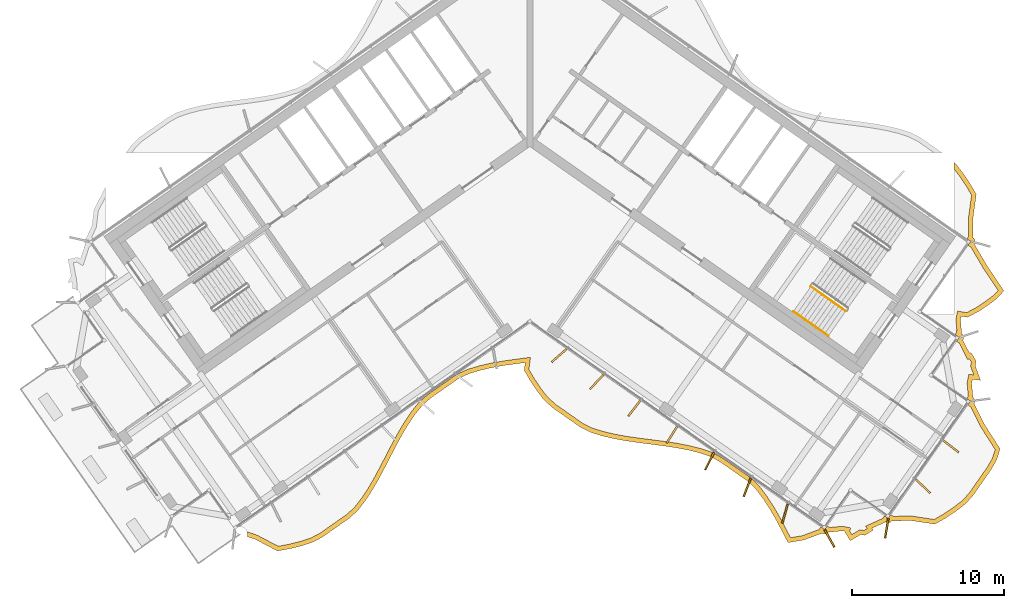
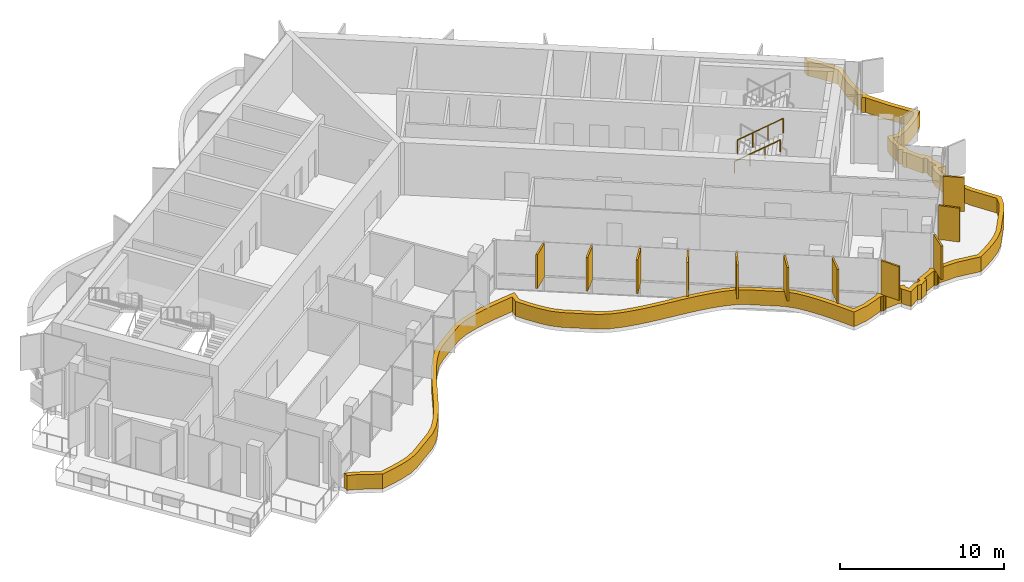
# One storey, part 15 of 18: 12 shading devices, 2 railings.
"""IFC4 building model written with IfcOpenShell, lengths in metres."""

from ifc_helpers import new_model, si_unit, direction, frame, origin, origin_2d, place, context, subcontext, project, spatial, polyline, rectangle, circle, outline, extrude, material, layer, layer_set, type_object, element, save


model = new_model("IFC4")

# Units and contexts
model_context = context("Model", 3, precision=1e-05, world=origin(), true_north=direction((0.0, 1.0)))
body_context = subcontext(model_context, "Body", "Model", "MODEL_VIEW")
ifc_project = project(units=[si_unit("LENGTHUNIT", "METRE"), si_unit("AREAUNIT", "SQUARE_METRE"), si_unit("VOLUMEUNIT", "CUBIC_METRE"), si_unit("PLANEANGLEUNIT", "RADIAN"), si_unit("MASSUNIT", "GRAM", prefix="KILO")], contexts=[model_context])

# Site, building, storey
site_placement = place(None, origin())
site = spatial("IfcSite", under=ifc_project, at=site_placement, CompositionType="ELEMENT")
building_placement = place(site_placement, origin())
building = spatial("IfcBuilding", under=site, at=building_placement, Name="Tel Ilan Convention Tower", CompositionType="ELEMENT")
storey_placement = place(building_placement, frame((0.0, 0.0, 295.60009765625)))
storey = spatial("IfcBuildingStorey", under=building, at=storey_placement, Name="L70", CompositionType="ELEMENT", Elevation=295.60009765625)

# Shading devices
ifc_material_1 = material(Name="Aluminium, bronze anodised", Category="aluminium")
ifc_layer_1 = layer(ifc_material_1, 0.1201171875)
ifc_layer_set_1 = layer_set([ifc_layer_1], Name="FIN BRONZE 1300x120")
shading_device_type_1 = type_object("IfcShadingDeviceType", Name="FIN BRONZE 1300x120", PredefinedType="USERDEFINED", material=ifc_layer_set_1)
for number, where, z_axis, x_axis, name in (
    (1, (1.923583984375, -14.952392578125, 1.099853515625), (0.0, 0.0, 1.0), (-0.753435896329, -0.657521368568, 0.0), "FIN"),
    (2, (4.39208984375, -16.6884765625, 1.099853515625), (0.0, 0.0, 1.0), (-0.686241637865, -0.727373641577, 0.0), "FIN"),
    (3, (6.864501953125, -18.42041015625, 1.099853515625), (0.0, 0.0, 1.0), (-0.612600545196, -0.790392669516, 0.0), "FIN"),
    (4, (9.337646484375, -20.15185546875, 1.099853515625), (0.0, 0.0, 1.0), (-0.533204432798, -0.845986425922, 0.0), "FIN"),
    (5, (11.810546875, -21.883056640625, 1.099853515625), (0.0, 0.0, 1.0), (-0.448799180206, -0.893632640321, 0.0), "FIN"),
    (6, (14.286376953125, -23.60888671875, 1.099853515625), (0.0, 0.0, 1.0), (-0.360177724803, -0.932883704733, 0.0), "FIN"),
    (7, (16.764404296875, -25.32861328125, 1.099853515625), (0.0, 0.0, 1.0), (-0.268172612768, -0.963370878614, 0.0), "FIN"),
    (8, (19.694091796875, -26.96728515625, 1.099853515625), (0.0, 0.0, 1.0), (0.491579408049, -0.870832754082, 0.0), "FIN"),
    (9, (23.446044921875, -26.3056640625, 1.099853515625), (0.0, 0.0, 1.0), (-0.16409119891, -0.986445172547, 0.0), "FIN"),
    (10, (25.826171875, -23.529296875, 1.099853515625), (0.0, 0.0, 1.0), (0.727373641577, -0.686241637865, 0.0), "FIN"),
    (11, (27.659423828125, -20.911376953125, 1.099853515625), (0.0, 0.0, 1.0), (0.790392669516, -0.612600545196, 0.0), "FIN"),
):
    element("IfcShadingDevice", number, at=place(storey_placement, frame(where, z_axis=z_axis, x_axis=x_axis)), inside=storey, type_object=shading_device_type_1, Name=name, ObjectType="FIN", PredefinedType="USERDEFINED", context=body_context, shape_type="SweptSolid", body=[
        extrude(rectangle(XDim=1.300048828125, YDim=0.1201171875, at=origin_2d()), origin(), (0.0, 0.0, 1.0), 2.52001953125),
    ])
ifc_material_2 = material(Name="Aluminium, bronze anodised", Category="aluminium")
ifc_layer_2 = layer(ifc_material_2, 0.300048828125)
ifc_layer_set_2 = layer_set([ifc_layer_2], Name="LOUVRE BAND 300x1100")
shading_device_type_2 = type_object("IfcShadingDeviceType", Name="LOUVRE BAND 300x1100", PredefinedType="USERDEFINED", material=ifc_layer_set_2)
shading_device_placement = place(storey_placement, origin())
element("IfcShadingDevice", 12, at=shading_device_placement, inside=storey, type_object=shading_device_type_2, Name="LOUVRE BAND 53.01", ObjectType="LOUVRE", PredefinedType="USERDEFINED", context=body_context, shape_type="SweptSolid", body=[
    extrude(outline(polyline([(-18.57470703125, -26.5263671875), (-18.55615234375, -26.59423828125), (-18.54443359375, -26.691650390625), (-18.552001953125, -26.789306640625), (-18.565185546875, -26.84716796875), (-18.00830078125, -27.0400390625), (-16.57958984375, -27.7919921875), (-15.780029296875, -27.645263671875), (-15.009521484375, -27.45751953125), (-14.274169921875, -27.219482421875), (-13.616943359375, -26.86962890625), (-11.80078125, -25.597900390625), (-11.26025390625, -25.08154296875), (-10.789306640625, -24.465576171875), (-10.352783203125, -23.800537109375), (-9.943359375, -23.09716796875), (-9.552001953125, -22.367431640625), (-8.785888671875, -20.885009765625), (-8.39111328125, -20.160400390625), (-7.97607421875, -19.464599609375), (-7.532470703125, -18.81005859375), (-7.052734375, -18.20654296875), (-6.48681640625, -17.7265625), (-4.670654296875, -16.454833984375), (-3.987060546875, -16.142822265625), (-3.242919921875, -15.9169921875), (-2.46533203125, -15.739501953125), (-1.66162109375, -15.598876953125), (-0.30078125, -15.41357421875), (-0.370361328125, -15.923828125), (0.041015625, -16.624755859375), (0.481201171875, -17.28466796875), (0.956298828125, -17.894287109375), (1.509765625, -18.392333984375), (3.325927734375, -19.663818359375), (3.99609375, -19.9951171875), (4.73583984375, -20.22705078125), (5.510009765625, -20.40966796875), (6.311279296875, -20.553955078125), (7.130615234375, -20.672119140625), (8.785888671875, -20.885009765625), (9.601806640625, -21.008056640625), (10.3974609375, -21.16015625), (11.16455078125, -21.353271484375), (11.8955078125, -21.59765625), (12.540283203125, -21.965087890625), (14.356201171875, -23.23681640625), (14.88330078125, -23.7724609375), (15.349853515625, -24.39453125), (15.782958984375, -25.064453125), (16.18994140625, -25.771728515625), (16.57958984375, -26.50341796875), (16.96240234375, -27.2451171875), (17.983642578125, -27.074951171875), (19.202392578125, -26.623046875), (19.25634765625, -26.6591796875), (19.37109375, -26.681884765625), (19.486083984375, -26.6591796875), (19.583251953125, -26.593994140625), (19.6123046875, -26.55078125), (20.542236328125, -26.469482421875), (20.72119140625, -26.50537109375), (20.709716796875, -26.5625), (21.052978515625, -27.1181640625), (21.740478515625, -26.710205078125), (22.00927734375, -26.76416015625), (22.564697265625, -26.420654296875), (22.488525390625, -26.292236328125), (23.380615234375, -25.88623046875), (23.4345703125, -25.92236328125), (23.54931640625, -25.9453125), (23.6640625, -25.92236328125), (23.761474609375, -25.857421875), (23.79052734375, -25.81396484375), (25.015625, -25.789306640625), (26.617919921875, -26.0283203125), (27.311767578125, -25.631591796875), (27.9609375, -25.203369140625), (28.5625, -24.741943359375), (29.068603515625, -24.213623046875), (30.31298828125, -22.436767578125), (30.669189453125, -21.803466796875), (30.8984375, -21.081298828125), (29.872314453125, -19.47998046875), (29.18212890625, -18.114013671875), (29.218017578125, -18.06005859375), (29.240966796875, -17.9453125), (29.218017578125, -17.830322265625), (29.153076171875, -17.733154296875), (29.10986328125, -17.7041015625), (29.028564453125, -16.774169921875), (29.080322265625, -16.5166015625), (29.61181640625, -16.583740234375), (29.26171875, -15.613037109375), (29.3232421875, -15.30712890625), (28.979736328125, -14.751708984375), (28.889404296875, -14.80517578125), (28.4453125, -13.935791015625), (28.4814453125, -13.8818359375), (28.504150390625, -13.76708984375), (28.4814453125, -13.652099609375), (28.416259765625, -13.554931640625), (28.373046875, -13.52587890625), (28.291748046875, -12.595947265625), (28.33642578125, -12.373291015625), (28.752685546875, -12.44189453125), (29.445068359375, -12.072265625), (30.077880859375, -11.660888671875), (30.66748046875, -11.218994140625), (31.151123046875, -10.703125), (30.056640625, -9.082275390625), (29.199951171875, -7.6279296875), (29.236083984375, -7.57373046875), (29.2587890625, -7.458984375), (29.236083984375, -7.34423828125), (29.1708984375, -7.246826171875), (29.127685546875, -7.218017578125), (29.10986328125, -5.95947265625), (29.331298828125, -4.35888671875), (28.922119140625, -3.659423828125), (28.48388671875, -3.001220703125), (28.0107421875, -2.392822265625), (27.874755859375, -2.269287109375), (27.874755859375, -2.70654296875), (28.240234375, -3.176513671875), (28.66748046875, -3.818359375), (29.02001953125, -4.420654296875), (28.809326171875, -5.941162109375), (28.829345703125, -7.12109375), (28.713134765625, -7.286865234375), (28.958740234375, -7.458984375), (28.787353515625, -7.705322265625), (28.97900390625, -7.83935546875), (29.802734375, -9.2421875), (30.7685546875, -10.672607421875), (30.466552734375, -10.99462890625), (29.906005859375, -11.414794921875), (29.292236328125, -11.813720703125), (28.701171875, -12.12939453125), (28.099365234375, -12.0302734375), (27.989013671875, -12.579833984375), (28.054443359375, -13.2958984375), (28.011474609375, -13.265869140625), (28.0263671875, -13.42822265625), (27.92578125, -13.572021484375), (28.204345703125, -13.76708984375), (28.0322265625, -14.0126953125), (28.21630859375, -14.141845703125), (28.766845703125, -15.226806640625), (28.87939453125, -15.159912109375), (29.005859375, -15.3642578125), (28.951171875, -15.635986328125), (29.163330078125, -16.224853515625), (28.841064453125, -16.18408203125), (28.725830078125, -16.758056640625), (28.80419921875, -17.617431640625), (28.6953125, -17.773193359375), (28.94091796875, -17.9453125), (28.76953125, -18.19140625), (28.95263671875, -18.319580078125), (29.611328125, -19.62890625), (30.56982421875, -21.12451171875), (30.392578125, -21.68310546875), (30.05859375, -22.276611328125), (28.836181640625, -24.022705078125), (28.36181640625, -24.517822265625), (27.78662109375, -24.958740234375), (27.154541015625, -25.3759765625), (26.559326171875, -25.71630859375), (25.034423828125, -25.48876953125), (23.886474609375, -25.51513671875), (23.721435546875, -25.3994140625), (23.54931640625, -25.645263671875), (23.30322265625, -25.473876953125), (23.1787109375, -25.6513671875), (22.059326171875, -26.156982421875), (22.156494140625, -26.320556640625), (21.9521484375, -26.44677734375), (21.6865234375, -26.393310546875), (21.1533203125, -26.709716796875), (21.027099609375, -26.505615234375), (21.07421875, -26.2705078125), (20.558349609375, -26.166748046875), (19.698974609375, -26.245361328125), (19.543212890625, -26.13623046875), (19.37109375, -26.382080078125), (19.125, -26.21044921875), (19.00732421875, -26.378662109375), (17.90673828125, -26.78369140625), (17.12890625, -26.913330078125), (16.452392578125, -25.626220703125), (16.0390625, -24.908203125), (15.59619140625, -24.222900390625), (15.111328125, -23.576416015625), (14.55078125, -23.0068359375), (12.700927734375, -21.71142578125), (12.0185546875, -21.322509765625), (11.248779296875, -21.06494140625), (10.46240234375, -20.866943359375), (9.65234375, -20.712158203125), (8.827392578125, -20.587890625), (7.171142578125, -20.374755859375), (6.359375, -20.2578125), (5.571044921875, -20.11572265625), (4.815185546875, -19.9375), (4.108154296875, -19.7158203125), (3.479248046875, -19.405029296875), (1.697021484375, -18.156982421875), (1.1767578125, -17.68896484375), (0.724609375, -17.10888671875), (0.29541015625, -16.465576171875), (-0.05908203125, -15.861328125), (0.04931640625, -15.06640625), (-0.880615234375, -15.185546875), (-1.708251953125, -15.302490234375), (-2.5244140625, -15.4453125), (-3.320068359375, -15.626953125), (-4.09326171875, -15.861572265625), (-4.8203125, -16.193359375), (-6.670166015625, -17.48876953125), (-7.269287109375, -17.996826171875), (-7.7744140625, -18.632080078125), (-8.229248046875, -19.303466796875), (-8.65185546875, -20.01171875), (-9.05078125, -20.744384765625), (-9.817626953125, -22.227783203125), (-10.205322265625, -22.95068359375), (-10.608154296875, -23.642822265625), (-11.0341796875, -24.2919921875), (-11.484375, -24.880859375), (-11.991455078125, -25.365234375), (-13.77392578125, -26.61328125), (-14.3916015625, -26.942138671875), (-15.09130859375, -27.168701171875), (-15.8427734375, -27.351806640625), (-16.531494140625, -27.478271484375), (-17.888671875, -26.763916015625), (-18.57470703125, -26.5263671875)])), origin(), (0.0, 0.0, 1.0), 1.099853515625),
])

# Railings
ifc_material_3 = material(Name="Stainless Steel Grade 316", Category="steel")
railing_type_1 = type_object("IfcRailingType", Name="Stainless Steel Stair Guard 1100 mm", PredefinedType="GUARDRAIL", material=ifc_material_3)
railing_1_placement = place(storey_placement, frame((18.4599609375, -10.423095703125, 2.127197265625)))
element("IfcRailing", 13, at=railing_1_placement, inside=storey, type_object=railing_type_1, Name="L70 S4 stair guard 3", PredefinedType="GUARDRAIL", context=body_context, shape_type="SweptSolid", body=[
    extrude(circle(Radius=0.02392578125, at=origin_2d()), frame((0.0, 0.0, 1.076171875), z_axis=(0.692098378994, -0.484653031975, 0.534893701956), x_axis=(0.573608623498, 0.819129505664, 0.0)), (0.0, 0.0, 1.0), 3.314208984375),
    extrude(circle(Radius=0.02099609375, at=origin_2d()), origin(), (0.0, 0.0, 1.0), 1.052001953125),
    extrude(circle(Radius=0.02099609375, at=origin_2d()), frame((0.7646484375, -0.535400390625, 0.5908203125)), (0.0, 0.0, 1.0), 1.052001953125),
    extrude(circle(Radius=0.02099609375, at=origin_2d()), frame((1.529052734375, -1.07080078125, 1.181884765625)), (0.0, 0.0, 1.0), 1.052001953125),
    extrude(circle(Radius=0.02099609375, at=origin_2d()), frame((2.293701171875, -1.606201171875, 1.772705078125)), (0.0, 0.0, 1.0), 1.052001953125),
])
ifc_material_4 = material(Name="Stainless Steel Grade 316", Category="steel")
railing_type_2 = type_object("IfcRailingType", Name="Stainless Steel Stair Handrail 900 mm", PredefinedType="HANDRAIL", material=ifc_material_4)
railing_2_placement = place(storey_placement, frame((17.312744140625, -12.0615234375, 2.127197265625)))
element("IfcRailing", 14, at=railing_2_placement, inside=storey, type_object=railing_type_2, Name="L70 S4 stair handrail 2", PredefinedType="HANDRAIL", context=body_context, shape_type="SweptSolid", body=[
    extrude(circle(Radius=0.02392578125, at=origin_2d()), frame((0.0, 0.0, 0.8759765625), z_axis=(0.692123088272, -0.484596665743, 0.534912798717), x_axis=(0.573550118428, 0.819170471667, 0.0)), (0.0, 0.0, 1.0), 3.31396484375),
    extrude(circle(Radius=0.02099609375, at=origin_2d()), origin(), (0.0, 0.0, 1.0), 0.851806640625),
    extrude(circle(Radius=0.02099609375, at=origin_2d()), frame((0.7646484375, -0.535400390625, 0.5908203125)), (0.0, 0.0, 1.0), 0.851806640625),
    extrude(circle(Radius=0.02099609375, at=origin_2d()), frame((1.529052734375, -1.070556640625, 1.181884765625)), (0.0, 0.0, 1.0), 0.851806640625),
    extrude(circle(Radius=0.02099609375, at=origin_2d()), frame((2.293701171875, -1.60595703125, 1.772705078125)), (0.0, 0.0, 1.0), 0.851806640625),
])

save(model, "model.ifc")
